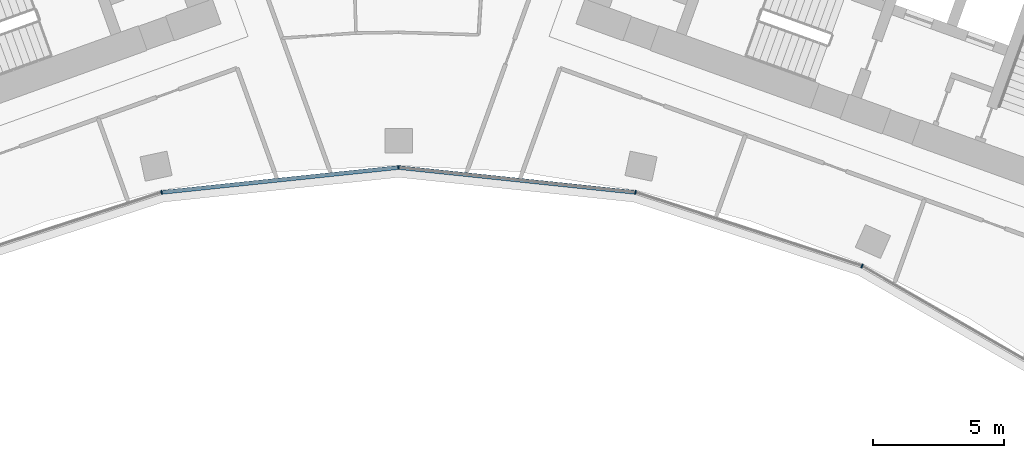
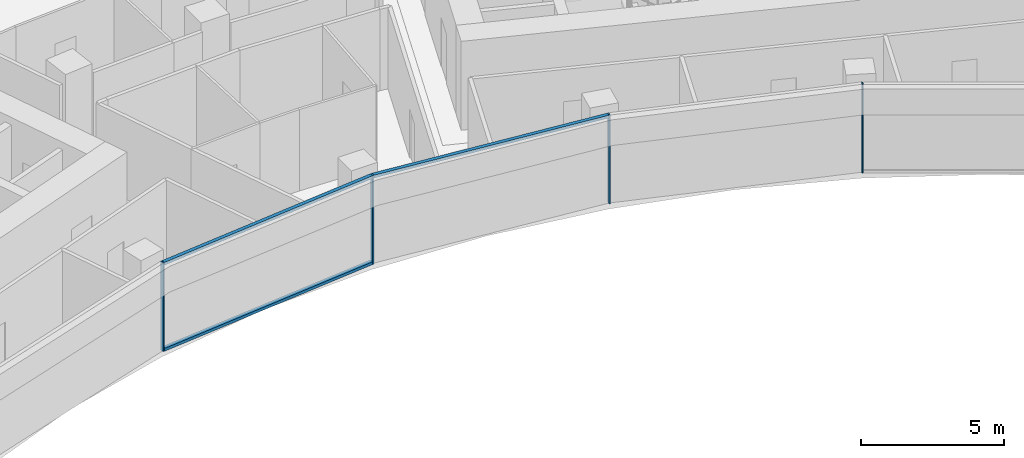
# One storey, part 5 of 20: 7 members, 1 element without a shape of its own.
"""IFC4 building model written with IfcOpenShell, lengths in metres."""

from ifc_helpers import new_model, si_unit, direction, frame, origin, origin_2d, place, context, subcontext, project, spatial, rectangle, extrude, material, layer, layer_set, material_profile, profile_set, type_object, element, aggregate, save


model = new_model("IFC4")

# Units and contexts
model_context = context("Model", 3, precision=1e-05, world=origin(), true_north=direction((0.0, 1.0)))
body_context = subcontext(model_context, "Body", "Model", "MODEL_VIEW")
ifc_project = project(units=[si_unit("LENGTHUNIT", "METRE"), si_unit("AREAUNIT", "SQUARE_METRE"), si_unit("VOLUMEUNIT", "CUBIC_METRE"), si_unit("PLANEANGLEUNIT", "RADIAN"), si_unit("MASSUNIT", "GRAM", prefix="KILO")], contexts=[model_context])

# Site, building, storey
site_placement = place(None, origin())
site = spatial("IfcSite", under=ifc_project, at=site_placement, CompositionType="ELEMENT")
building_placement = place(site_placement, origin())
building = spatial("IfcBuilding", under=site, at=building_placement, Name="Stone Belt Terrace Tower", CompositionType="ELEMENT")
storey_placement = place(building_placement, frame((0.0, 0.0, 212.39990234375)))
storey = spatial("IfcBuildingStorey", under=building, at=storey_placement, Name="L51", CompositionType="ELEMENT", Elevation=212.39990234375)

# Curtain wall, members
ifc_material = material(Name="Aluminium 6063-T6 anodised frame", Category="aluminium")
ifc_layer = layer(ifc_material, 0.14990234375)
ifc_layer_set = layer_set([ifc_layer], Name="CW-B unitised concave-face curtain wall")
curtain_wall_type = type_object("IfcCurtainWallType", Name="CW-B unitised concave-face curtain wall", PredefinedType="NOTDEFINED", material=ifc_layer_set)
curtain_wall_placement = place(storey_placement, origin())
curtain_wall = element("IfcCurtainWall", 1, at=curtain_wall_placement, inside=storey, type_object=curtain_wall_type, Name="CW-B concave face L51", PredefinedType="NOTDEFINED")
ifc_material_profile_1 = material_profile(ifc_material, rectangle(XDim=0.14990234375, YDim=0.050048828125, at=origin_2d()), Name="Aluminium 6063-T6 50x150")
ifc_profile_set_1 = profile_set([ifc_material_profile_1], Name="Aluminium 6063-T6 anodised frame")
member_type_1 = type_object("IfcMemberType", Name="CW-B mullion 50 x 150", PredefinedType="MULLION", material=ifc_profile_set_1)
member_1_placement = place(storey_placement, frame((-9.028564453125, 42.4755859375, 0.0), z_axis=(0.0, 0.0, 1.0), x_axis=(-0.207911690818, 0.978147600734, 0.0)))
member_1 = element("IfcMember", 2, at=member_1_placement, type_object=member_type_1, Name="CW-B mullion 4", PredefinedType="MULLION", context=body_context, shape_type="SweptSolid", body=[
    extrude(rectangle(XDim=0.14990234375, YDim=0.050048828125, at=origin_2d()), origin(), (0.0, 0.0, 1.0), 3.800048828125),
])
member_2_placement = place(storey_placement, frame((0.0, 43.424560546875, 0.0), z_axis=(0.0, 0.0, 1.0), x_axis=(0.0, 1.0, 0.0)))
member_2 = element("IfcMember", 3, at=member_2_placement, type_object=member_type_1, Name="CW-B mullion 5", PredefinedType="MULLION", context=body_context, shape_type="SweptSolid", body=[
    extrude(rectangle(XDim=0.14990234375, YDim=0.050048828125, at=origin_2d()), origin(), (0.0, 0.0, 1.0), 3.800048828125),
])
member_3_placement = place(storey_placement, frame((9.028564453125, 42.4755859375, 0.0), z_axis=(0.0, 0.0, 1.0), x_axis=(0.207911690818, 0.978147600734, 0.0)))
member_3 = element("IfcMember", 4, at=member_3_placement, type_object=member_type_1, Name="CW-B mullion 6", PredefinedType="MULLION", context=body_context, shape_type="SweptSolid", body=[
    extrude(rectangle(XDim=0.14990234375, YDim=0.050048828125, at=origin_2d()), origin(), (0.0, 0.0, 1.0), 3.800048828125),
])
member_4_placement = place(storey_placement, frame((17.662353515625, 39.67041015625, 0.0), z_axis=(0.0, 0.0, 1.0), x_axis=(0.406736643076, 0.913545457643, 0.0)))
member_4 = element("IfcMember", 5, at=member_4_placement, type_object=member_type_1, Name="CW-B mullion 7", PredefinedType="MULLION", context=body_context, shape_type="SweptSolid", body=[
    extrude(rectangle(XDim=0.14990234375, YDim=0.050048828125, at=origin_2d()), origin(), (0.0, 0.0, 1.0), 3.800048828125),
])
ifc_material_profile_2 = material_profile(ifc_material, rectangle(XDim=0.14990234375, YDim=0.1201171875, at=origin_2d()), Name="Aluminium 6063-T6 150x120")
ifc_profile_set_2 = profile_set([ifc_material_profile_2], Name="Aluminium 6063-T6 anodised frame")
member_type_2 = type_object("IfcMemberType", Name="CW-B transom 120 x 150", PredefinedType="USERDEFINED", material=ifc_profile_set_2)
member_5_placement = place(storey_placement, frame((-8.995849609375, 42.47900390625, 0.06005859375), z_axis=(0.994521323407, 0.104533904969, 0.0), x_axis=(-0.104533904969, 0.994521323407, 0.0)))
member_5 = element("IfcMember", 6, at=member_5_placement, type_object=member_type_2, Name="CW-B transom 4.1", ObjectType="TRANSOM", PredefinedType="USERDEFINED", context=body_context, shape_type="SweptSolid", body=[
    extrude(rectangle(XDim=0.14990234375, YDim=0.1201171875, at=origin_2d()), origin(), (0.0, 0.0, 1.0), 9.0126953125),
])
member_6_placement = place(storey_placement, frame((-8.995849609375, 42.47900390625, 3.739990234375), z_axis=(0.994521323407, 0.104533904969, 0.0), x_axis=(-0.104533904969, 0.994521323407, 0.0)))
member_6 = element("IfcMember", 7, at=member_6_placement, type_object=member_type_2, Name="CW-B transom 4.2", ObjectType="TRANSOM", PredefinedType="USERDEFINED", context=body_context, shape_type="SweptSolid", body=[
    extrude(rectangle(XDim=0.14990234375, YDim=0.1201171875, at=origin_2d()), origin(), (0.0, 0.0, 1.0), 9.0126953125),
])
member_7_placement = place(storey_placement, frame((0.032470703125, 43.421142578125, 3.739990234375), z_axis=(0.994521323407, -0.104533904969, 0.0), x_axis=(0.104533904969, 0.994521323407, 0.0)))
member_7 = element("IfcMember", 8, at=member_7_placement, type_object=member_type_2, Name="CW-B transom 5.1", ObjectType="TRANSOM", PredefinedType="USERDEFINED", context=body_context, shape_type="SweptSolid", body=[
    extrude(rectangle(XDim=0.14990234375, YDim=0.1201171875, at=origin_2d()), origin(), (0.0, 0.0, 1.0), 9.0126953125),
])
aggregate(curtain_wall, [member_1, member_2, member_3, member_4, member_5, member_6, member_7])

save(model, "model.ifc")
